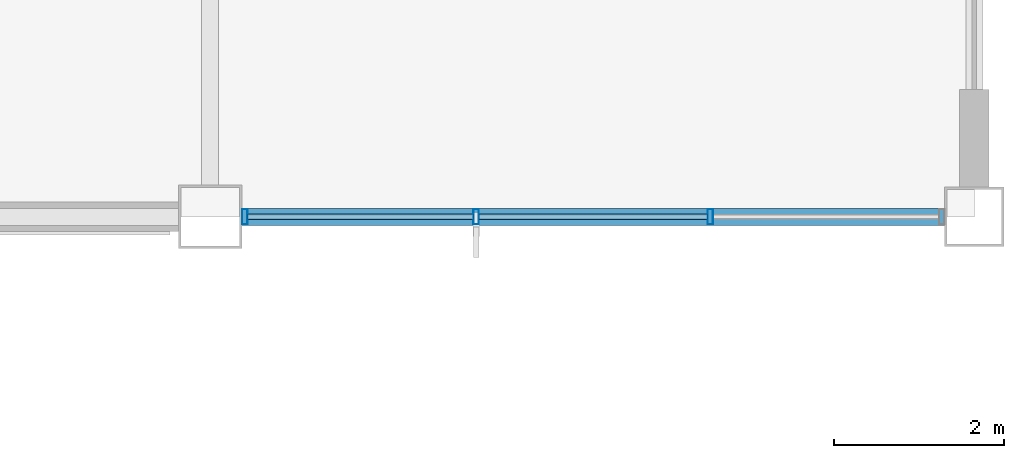
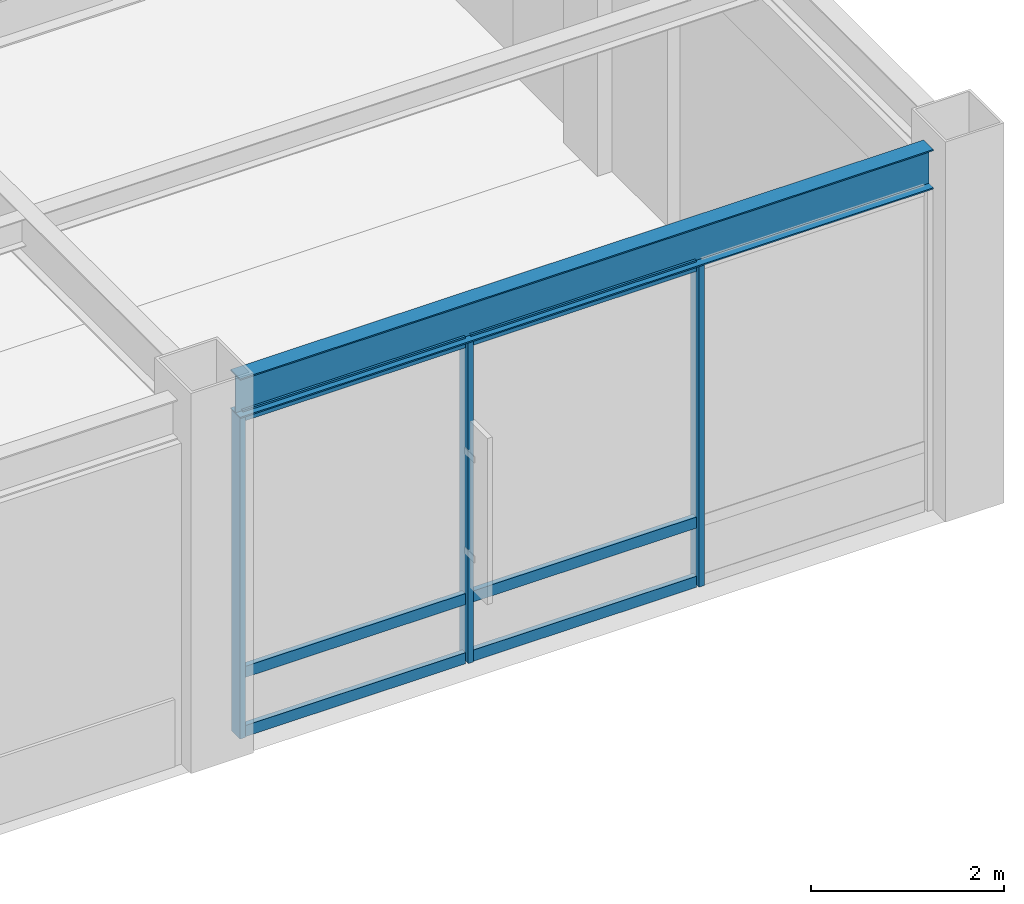
# One storey, part 75 of 112: 9 members, 1 beam, 1 element without a shape of its own.
"""IFC4 building model written with IfcOpenShell, lengths in metres."""

from ifc_helpers import new_model, si_unit, direction, frame, origin, origin_2d, place, context, subcontext, project, spatial, hollow_rectangle, i_section, extrude, material, material_profile, profile_set, type_object, element, aggregate, save


model = new_model("IFC4")

# Units and contexts
model_context = context("Model", 3, precision=1e-05, world=origin(), true_north=direction((0.0, 1.0)))
body_context = subcontext(model_context, "Body", "Model", "MODEL_VIEW")
ifc_project = project(units=[si_unit("LENGTHUNIT", "METRE"), si_unit("AREAUNIT", "SQUARE_METRE"), si_unit("VOLUMEUNIT", "CUBIC_METRE"), si_unit("PLANEANGLEUNIT", "RADIAN"), si_unit("MASSUNIT", "GRAM", prefix="KILO")], contexts=[model_context])

# Site, building, storey
site_placement = place(None, origin())
site = spatial("IfcSite", under=ifc_project, at=site_placement, CompositionType="ELEMENT")
building_placement = place(site_placement, origin())
building = spatial("IfcBuilding", under=site, at=building_placement, Name="Kazanami Central Library", CompositionType="ELEMENT")
storey_placement = place(building_placement, origin())
storey = spatial("IfcBuildingStorey", under=building, at=storey_placement, Name="L01", CompositionType="ELEMENT", Elevation=0.0)

# Beam
ifc_material_1 = material(Name="Steel SN490B (325 MPa)", Category="steel")
ifc_material_profile_1 = material_profile(ifc_material_1, i_section(OverallWidth=0.199951171875, OverallDepth=0.5, WebThickness=0.010009765625, FlangeThickness=0.01611328125, at=origin_2d()), Name="H-500x200x10x16")
ifc_profile_set_1 = profile_set([ifc_material_profile_1], Name="Steel SN490B (325 MPa)")
beam_type = type_object("IfcBeamType", Name="BM-SP-1", PredefinedType="SPANDREL", material=ifc_profile_set_1)
beam_placement = place(storey_placement, frame((153.373046875, 43.199951171875, 4.304931640625), z_axis=(1.0, 0.0, 0.0), x_axis=(0.0, 1.0, 0.0)))
element("IfcBeam", 1, at=beam_placement, inside=storey, type_object=beam_type, Name="Girder SP-1 L01 G/18-19", PredefinedType="SPANDREL", context=body_context, shape_type="SweptSolid", body=[
    extrude(i_section(OverallWidth=0.199951171875, OverallDepth=0.5, WebThickness=0.010009765625, FlangeThickness=0.01611328125, at=origin_2d()), origin(), (0.0, 0.0, 1.0), 8.279052734375),
])

# Curtain wall, members
ifc_material_2 = material(Name="Acid-Etched Low-E Laminated Glass", Category="glass")
curtain_wall_type = type_object("IfcCurtainWallType", Name="CW-8275x4055-M275", PredefinedType="USERDEFINED", material=ifc_material_2)
curtain_wall_placement = place(storey_placement, origin())
curtain_wall = element("IfcCurtainWall", 2, at=curtain_wall_placement, inside=storey, type_object=curtain_wall_type, Name="Unitised Curtain Wall CW-04 L01 S-G-17", ObjectType="UNITISED CURTAIN WALL", PredefinedType="USERDEFINED")
ifc_material_3 = material(Name="Anodised Aluminium A6063-T5", Category="aluminium")
ifc_material_profile_2 = material_profile(ifc_material_3, hollow_rectangle(XDim=0.06494140625, YDim=0.179931640625, WallThickness=0.00390625, at=origin_2d()), Name="ALU-MULL-65x180x4")
ifc_profile_set_2 = profile_set([ifc_material_profile_2], Name="Anodised Aluminium A6063-T5")
member_type_1 = type_object("IfcMemberType", Name="MEM-CW-M2", PredefinedType="MULLION", material=ifc_profile_set_2)
member_1_placement = place(storey_placement, frame((153.407470703125, 43.199951171875, 0.0), z_axis=(0.0, 0.0, 1.0), x_axis=(1.0, 0.0, 0.0)))
member_1 = element("IfcMember", 3, at=member_1_placement, type_object=member_type_1, Name="CW-04 mullion 1", PredefinedType="MULLION", context=body_context, shape_type="SweptSolid", body=[
    extrude(hollow_rectangle(XDim=0.06494140625, YDim=0.179931640625, WallThickness=0.00390625, at=origin_2d()), origin(), (0.0, 0.0, 1.0), 4.054931640625),
])
member_2_placement = place(storey_placement, frame((156.13330078125, 43.199951171875, 0.0), z_axis=(0.0, 0.0, 1.0), x_axis=(1.0, 0.0, 0.0)))
member_2 = element("IfcMember", 4, at=member_2_placement, type_object=member_type_1, Name="CW-04 mullion 2", PredefinedType="MULLION", context=body_context, shape_type="SweptSolid", body=[
    extrude(hollow_rectangle(XDim=0.06494140625, YDim=0.179931640625, WallThickness=0.00390625, at=origin_2d()), origin(), (0.0, 0.0, 1.0), 4.054931640625),
])
member_3_placement = place(storey_placement, frame((158.8916015625, 43.199951171875, 0.0), z_axis=(0.0, 0.0, 1.0), x_axis=(1.0, 0.0, 0.0)))
member_3 = element("IfcMember", 5, at=member_3_placement, type_object=member_type_1, Name="CW-04 mullion 3", PredefinedType="MULLION", context=body_context, shape_type="SweptSolid", body=[
    extrude(hollow_rectangle(XDim=0.06494140625, YDim=0.179931640625, WallThickness=0.00390625, at=origin_2d()), origin(), (0.0, 0.0, 1.0), 4.054931640625),
])
ifc_material_profile_3 = material_profile(ifc_material_3, hollow_rectangle(XDim=0.06494140625, YDim=0.139892578125, WallThickness=0.00390625, at=origin_2d()), Name="ALU-TRAN-65x140x4")
ifc_profile_set_3 = profile_set([ifc_material_profile_3], Name="Anodised Aluminium A6063-T5")
member_type_2 = type_object("IfcMemberType", Name="MEM-CW-T2", PredefinedType="USERDEFINED", material=ifc_profile_set_3)
member_4_placement = place(storey_placement, frame((153.43994140625, 43.199951171875, 0.032470703125), z_axis=(1.0, 0.0, 0.0), x_axis=(0.0, 1.0, 0.0)))
member_4 = element("IfcMember", 6, at=member_4_placement, type_object=member_type_2, Name="CW-04 transom 1.1", ObjectType="TRANSOM", PredefinedType="USERDEFINED", context=body_context, shape_type="SweptSolid", body=[
    extrude(hollow_rectangle(XDim=0.06494140625, YDim=0.139892578125, WallThickness=0.00390625, at=origin_2d()), origin(), (0.0, 0.0, 1.0), 2.660888671875),
])
member_5_placement = place(storey_placement, frame((153.43994140625, 43.199951171875, 0.780029296875), z_axis=(1.0, 0.0, 0.0), x_axis=(0.0, 1.0, 0.0)))
member_5 = element("IfcMember", 7, at=member_5_placement, type_object=member_type_2, Name="CW-04 transom 1.2", ObjectType="TRANSOM", PredefinedType="USERDEFINED", context=body_context, shape_type="SweptSolid", body=[
    extrude(hollow_rectangle(XDim=0.06494140625, YDim=0.139892578125, WallThickness=0.00390625, at=origin_2d()), origin(), (0.0, 0.0, 1.0), 2.660888671875),
])
member_6_placement = place(storey_placement, frame((153.43994140625, 43.199951171875, 4.0224609375), z_axis=(1.0, 0.0, 0.0), x_axis=(0.0, 1.0, 0.0)))
member_6 = element("IfcMember", 8, at=member_6_placement, type_object=member_type_2, Name="CW-04 transom 1.3", ObjectType="TRANSOM", PredefinedType="USERDEFINED", context=body_context, shape_type="SweptSolid", body=[
    extrude(hollow_rectangle(XDim=0.06494140625, YDim=0.139892578125, WallThickness=0.00390625, at=origin_2d()), origin(), (0.0, 0.0, 1.0), 2.660888671875),
])
member_7_placement = place(storey_placement, frame((156.165771484375, 43.199951171875, 0.032470703125), z_axis=(1.0, 0.0, 0.0), x_axis=(0.0, 1.0, 0.0)))
member_7 = element("IfcMember", 9, at=member_7_placement, type_object=member_type_2, Name="CW-04 transom 2.1", ObjectType="TRANSOM", PredefinedType="USERDEFINED", context=body_context, shape_type="SweptSolid", body=[
    extrude(hollow_rectangle(XDim=0.06494140625, YDim=0.139892578125, WallThickness=0.00390625, at=origin_2d()), origin(), (0.0, 0.0, 1.0), 2.693359375),
])
member_8_placement = place(storey_placement, frame((156.165771484375, 43.199951171875, 0.780029296875), z_axis=(1.0, 0.0, 0.0), x_axis=(0.0, 1.0, 0.0)))
member_8 = element("IfcMember", 10, at=member_8_placement, type_object=member_type_2, Name="CW-04 transom 2.2", ObjectType="TRANSOM", PredefinedType="USERDEFINED", context=body_context, shape_type="SweptSolid", body=[
    extrude(hollow_rectangle(XDim=0.06494140625, YDim=0.139892578125, WallThickness=0.00390625, at=origin_2d()), origin(), (0.0, 0.0, 1.0), 2.693359375),
])
member_9_placement = place(storey_placement, frame((156.165771484375, 43.199951171875, 4.0224609375), z_axis=(1.0, 0.0, 0.0), x_axis=(0.0, 1.0, 0.0)))
member_9 = element("IfcMember", 11, at=member_9_placement, type_object=member_type_2, Name="CW-04 transom 2.3", ObjectType="TRANSOM", PredefinedType="USERDEFINED", context=body_context, shape_type="SweptSolid", body=[
    extrude(hollow_rectangle(XDim=0.06494140625, YDim=0.139892578125, WallThickness=0.00390625, at=origin_2d()), origin(), (0.0, 0.0, 1.0), 2.693359375),
])
aggregate(curtain_wall, [member_1, member_2, member_3, member_4, member_5, member_6, member_7, member_8, member_9])

save(model, "model.ifc")
